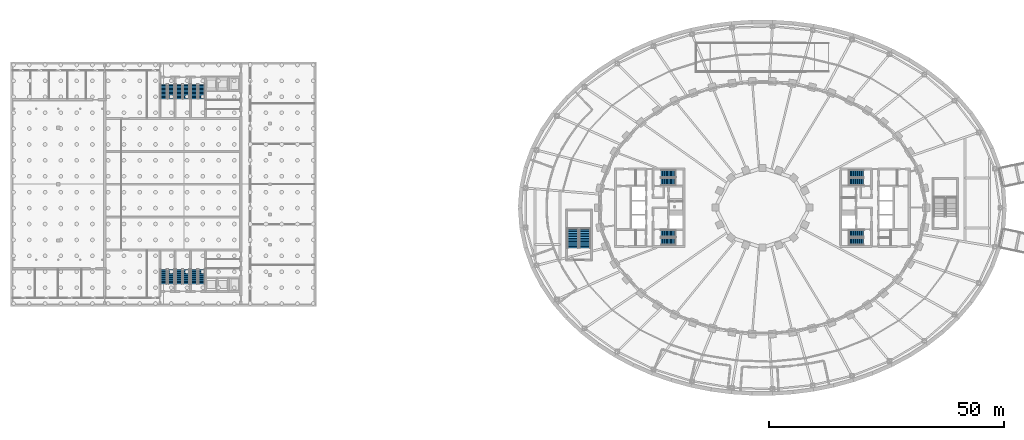
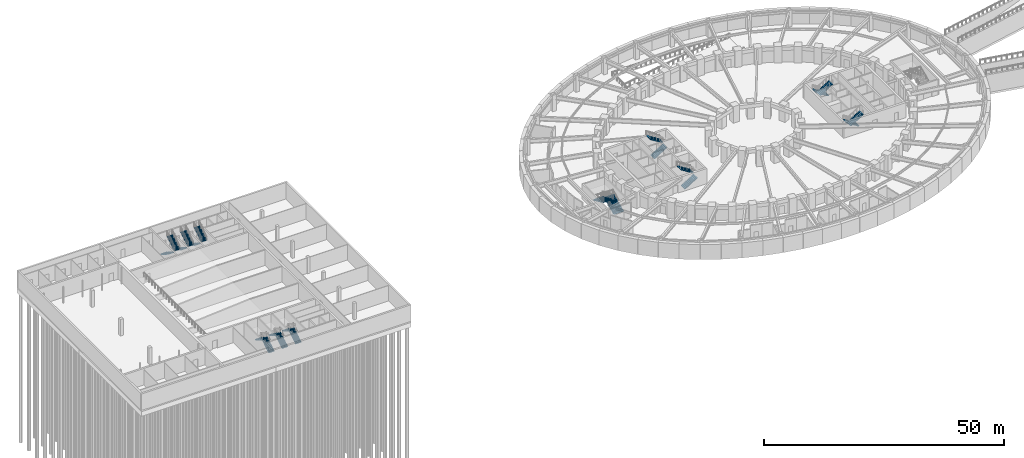
# One storey, part 23 of 32: 22 stair flights, 11 elements without a shape of their own.
"""IFC4 building model written with IfcOpenShell, lengths in metres."""

from ifc_helpers import new_model, si_unit, direction, frame, origin, place, context, subcontext, project, spatial, polyline, outline, extrude, material, type_object, element, aggregate, save


model = new_model("IFC4")

# Units and contexts
model_context = context("Model", 3, precision=1e-05, world=origin(), true_north=direction((0.0, 1.0)))
body_context = subcontext(model_context, "Body", "Model", "MODEL_VIEW")
ifc_project = project(units=[si_unit("LENGTHUNIT", "METRE"), si_unit("AREAUNIT", "SQUARE_METRE"), si_unit("VOLUMEUNIT", "CUBIC_METRE"), si_unit("PLANEANGLEUNIT", "RADIAN"), si_unit("MASSUNIT", "GRAM", prefix="KILO")], contexts=[model_context])

# Site, building, storey
site_placement = place(None, origin())
site = spatial("IfcSite", under=ifc_project, at=site_placement, CompositionType="ELEMENT")
building_placement = place(site_placement, origin())
building = spatial("IfcBuilding", under=site, at=building_placement, Name="Noorbagh Ring Tower", CompositionType="ELEMENT")
storey_placement = place(building_placement, frame((0.0, 0.0, -4.199951171875)))
storey = spatial("IfcBuildingStorey", under=building, at=storey_placement, Name="B1", CompositionType="ELEMENT", Elevation=-4.199951171875)

# Stair, stair flights
ifc_material_1 = material(Name="Concrete C40/50", Category="concrete")
stair_type_1 = type_object("IfcStairType", Name="CORE-STAIR", PredefinedType="HALF_TURN_STAIR", material=ifc_material_1)
stair_1_placement = place(storey_placement, origin())
stair_1 = element("IfcStair", 1, at=stair_1_placement, inside=storey, type_object=stair_type_1, Name="B1 Exit stair ST1", PredefinedType="HALF_TURN_STAIR")
ifc_material_2 = material(Name="Concrete C40/50", Category="concrete")
stair_flight_type_1 = type_object("IfcStairFlightType", Name="CORE-STAIR-FLIGHT", PredefinedType="STRAIGHT", material=ifc_material_2)
stair_flight_1_placement = place(storey_placement, frame((-21.530029296875, 5.52490234375, 0.0), z_axis=(0.0, 0.0, 1.0), x_axis=(1.0, 0.0, 0.0)))
stair_flight_1 = element("IfcStairFlight", 2, at=stair_flight_1_placement, type_object=stair_flight_type_1, Name="ST1 flight 1", NumberOfRisers=12, NumberOfTreads=11, PredefinedType="STRAIGHT", RiserHeight=0.175, TreadLength=0.28, context=body_context, shape_type="SweptSolid", body=[
    extrude(outline(polyline([(0.0, 0.0), (0.0, 0.175048828125), (0.280029296875, 0.175048828125), (0.280029296875, 0.35009765625), (0.56005859375, 0.35009765625), (0.56005859375, 0.52490234375), (0.840087890625, 0.52490234375), (0.840087890625, 0.699951171875), (1.1201171875, 0.699951171875), (1.1201171875, 0.875), (1.39990234375, 0.875), (1.39990234375, 1.050048828125), (1.679931640625, 1.050048828125), (1.679931640625, 1.22509765625), (1.9599609375, 1.22509765625), (1.9599609375, 1.39990234375), (2.239990234375, 1.39990234375), (2.239990234375, 1.574951171875), (2.52001953125, 1.574951171875), (2.52001953125, 1.75), (2.800048828125, 1.75), (2.800048828125, 1.925048828125), (3.080078125, 1.925048828125), (3.080078125, 2.10009765625), (3.080078125, 1.748291015625), (0.28271484375, 0.0), (0.0, 0.0)])), frame((0.0, 0.77490234375, 0.0), z_axis=(0.0, -1.0, 0.0), x_axis=(1.0, 0.0, 0.0)), (0.0, 0.0, 1.0), 1.550048828125),
])
stair_flight_2_placement = place(storey_placement, frame((-18.449951171875, 7.22509765625, 2.099853515625), z_axis=(0.0, 0.0, 1.0), x_axis=(-1.0, 0.0, 0.0)))
stair_flight_2 = element("IfcStairFlight", 3, at=stair_flight_2_placement, type_object=stair_flight_type_1, Name="ST1 flight 2", NumberOfRisers=12, NumberOfTreads=11, PredefinedType="STRAIGHT", RiserHeight=0.175, TreadLength=0.28, context=body_context, shape_type="SweptSolid", body=[
    extrude(outline(polyline([(0.0, 0.0), (0.0, 0.175048828125), (0.280029296875, 0.175048828125), (0.280029296875, 0.35009765625), (0.56005859375, 0.35009765625), (0.56005859375, 0.52490234375), (0.840087890625, 0.52490234375), (0.840087890625, 0.699951171875), (1.1201171875, 0.699951171875), (1.1201171875, 0.875), (1.39990234375, 0.875), (1.39990234375, 1.050048828125), (1.679931640625, 1.050048828125), (1.679931640625, 1.22509765625), (1.9599609375, 1.22509765625), (1.9599609375, 1.39990234375), (2.239990234375, 1.39990234375), (2.239990234375, 1.574951171875), (2.52001953125, 1.574951171875), (2.52001953125, 1.75), (2.800048828125, 1.75), (2.800048828125, 1.925048828125), (3.080078125, 1.925048828125), (3.080078125, 2.10009765625), (3.080078125, 1.748291015625), (0.28271484375, 0.0), (0.0, 0.0)])), frame((0.0, 0.77490234375, 0.0), z_axis=(0.0, -1.0, 0.0), x_axis=(1.0, 0.0, 0.0)), (0.0, 0.0, 1.0), 1.550048828125),
])
aggregate(stair_1, [stair_flight_1, stair_flight_2])

stair_2_placement = place(storey_placement, origin())
stair_2 = element("IfcStair", 4, at=stair_2_placement, inside=storey, type_object=stair_type_1, Name="B1 Exit stair ST2", PredefinedType="HALF_TURN_STAIR")
stair_flight_3_placement = place(storey_placement, frame((-21.530029296875, -7.22509765625, 0.0), z_axis=(0.0, 0.0, 1.0), x_axis=(1.0, 0.0, 0.0)))
stair_flight_3 = element("IfcStairFlight", 5, at=stair_flight_3_placement, type_object=stair_flight_type_1, Name="ST2 flight 1", NumberOfRisers=12, NumberOfTreads=11, PredefinedType="STRAIGHT", RiserHeight=0.175, TreadLength=0.28, context=body_context, shape_type="SweptSolid", body=[
    extrude(outline(polyline([(0.0, 0.0), (0.0, 0.175048828125), (0.280029296875, 0.175048828125), (0.280029296875, 0.35009765625), (0.56005859375, 0.35009765625), (0.56005859375, 0.52490234375), (0.840087890625, 0.52490234375), (0.840087890625, 0.699951171875), (1.1201171875, 0.699951171875), (1.1201171875, 0.875), (1.39990234375, 0.875), (1.39990234375, 1.050048828125), (1.679931640625, 1.050048828125), (1.679931640625, 1.22509765625), (1.9599609375, 1.22509765625), (1.9599609375, 1.39990234375), (2.239990234375, 1.39990234375), (2.239990234375, 1.574951171875), (2.52001953125, 1.574951171875), (2.52001953125, 1.75), (2.800048828125, 1.75), (2.800048828125, 1.925048828125), (3.080078125, 1.925048828125), (3.080078125, 2.10009765625), (3.080078125, 1.748291015625), (0.28271484375, 0.0), (0.0, 0.0)])), frame((0.0, 0.77490234375, 0.0), z_axis=(0.0, -1.0, 0.0), x_axis=(1.0, 0.0, 0.0)), (0.0, 0.0, 1.0), 1.550048828125),
])
stair_flight_4_placement = place(storey_placement, frame((-18.449951171875, -5.52490234375, 2.099853515625), z_axis=(0.0, 0.0, 1.0), x_axis=(-1.0, 0.0, 0.0)))
stair_flight_4 = element("IfcStairFlight", 6, at=stair_flight_4_placement, type_object=stair_flight_type_1, Name="ST2 flight 2", NumberOfRisers=12, NumberOfTreads=11, PredefinedType="STRAIGHT", RiserHeight=0.175, TreadLength=0.28, context=body_context, shape_type="SweptSolid", body=[
    extrude(outline(polyline([(0.0, 0.0), (0.0, 0.175048828125), (0.280029296875, 0.175048828125), (0.280029296875, 0.35009765625), (0.56005859375, 0.35009765625), (0.56005859375, 0.52490234375), (0.840087890625, 0.52490234375), (0.840087890625, 0.699951171875), (1.1201171875, 0.699951171875), (1.1201171875, 0.875), (1.39990234375, 0.875), (1.39990234375, 1.050048828125), (1.679931640625, 1.050048828125), (1.679931640625, 1.22509765625), (1.9599609375, 1.22509765625), (1.9599609375, 1.39990234375), (2.239990234375, 1.39990234375), (2.239990234375, 1.574951171875), (2.52001953125, 1.574951171875), (2.52001953125, 1.75), (2.800048828125, 1.75), (2.800048828125, 1.925048828125), (3.080078125, 1.925048828125), (3.080078125, 2.10009765625), (3.080078125, 1.748291015625), (0.28271484375, 0.0), (0.0, 0.0)])), frame((0.0, 0.77490234375, 0.0), z_axis=(0.0, -1.0, 0.0), x_axis=(1.0, 0.0, 0.0)), (0.0, 0.0, 1.0), 1.550048828125),
])
aggregate(stair_2, [stair_flight_3, stair_flight_4])

stair_3_placement = place(storey_placement, origin())
stair_3 = element("IfcStair", 7, at=stair_3_placement, inside=storey, type_object=stair_type_1, Name="B1 Exit stair ST3", PredefinedType="HALF_TURN_STAIR")
stair_flight_5_placement = place(storey_placement, frame((21.530029296875, 7.22509765625, 0.0), z_axis=(0.0, 0.0, 1.0), x_axis=(-1.0, 0.0, 0.0)))
stair_flight_5 = element("IfcStairFlight", 8, at=stair_flight_5_placement, type_object=stair_flight_type_1, Name="ST3 flight 1", NumberOfRisers=12, NumberOfTreads=11, PredefinedType="STRAIGHT", RiserHeight=0.175, TreadLength=0.28, context=body_context, shape_type="SweptSolid", body=[
    extrude(outline(polyline([(0.0, 0.0), (0.0, 0.175048828125), (0.280029296875, 0.175048828125), (0.280029296875, 0.35009765625), (0.56005859375, 0.35009765625), (0.56005859375, 0.52490234375), (0.840087890625, 0.52490234375), (0.840087890625, 0.699951171875), (1.1201171875, 0.699951171875), (1.1201171875, 0.875), (1.39990234375, 0.875), (1.39990234375, 1.050048828125), (1.679931640625, 1.050048828125), (1.679931640625, 1.22509765625), (1.9599609375, 1.22509765625), (1.9599609375, 1.39990234375), (2.239990234375, 1.39990234375), (2.239990234375, 1.574951171875), (2.52001953125, 1.574951171875), (2.52001953125, 1.75), (2.800048828125, 1.75), (2.800048828125, 1.925048828125), (3.080078125, 1.925048828125), (3.080078125, 2.10009765625), (3.080078125, 1.748291015625), (0.28271484375, 0.0), (0.0, 0.0)])), frame((0.0, 0.77490234375, 0.0), z_axis=(0.0, -1.0, 0.0), x_axis=(1.0, 0.0, 0.0)), (0.0, 0.0, 1.0), 1.550048828125),
])
stair_flight_6_placement = place(storey_placement, frame((18.449951171875, 5.52490234375, 2.099853515625), z_axis=(0.0, 0.0, 1.0), x_axis=(1.0, 0.0, 0.0)))
stair_flight_6 = element("IfcStairFlight", 9, at=stair_flight_6_placement, type_object=stair_flight_type_1, Name="ST3 flight 2", NumberOfRisers=12, NumberOfTreads=11, PredefinedType="STRAIGHT", RiserHeight=0.175, TreadLength=0.28, context=body_context, shape_type="SweptSolid", body=[
    extrude(outline(polyline([(0.0, 0.0), (0.0, 0.175048828125), (0.280029296875, 0.175048828125), (0.280029296875, 0.35009765625), (0.56005859375, 0.35009765625), (0.56005859375, 0.52490234375), (0.840087890625, 0.52490234375), (0.840087890625, 0.699951171875), (1.1201171875, 0.699951171875), (1.1201171875, 0.875), (1.39990234375, 0.875), (1.39990234375, 1.050048828125), (1.679931640625, 1.050048828125), (1.679931640625, 1.22509765625), (1.9599609375, 1.22509765625), (1.9599609375, 1.39990234375), (2.239990234375, 1.39990234375), (2.239990234375, 1.574951171875), (2.52001953125, 1.574951171875), (2.52001953125, 1.75), (2.800048828125, 1.75), (2.800048828125, 1.925048828125), (3.080078125, 1.925048828125), (3.080078125, 2.10009765625), (3.080078125, 1.748291015625), (0.28271484375, 0.0), (0.0, 0.0)])), frame((0.0, 0.77490234375, 0.0), z_axis=(0.0, -1.0, 0.0), x_axis=(1.0, 0.0, 0.0)), (0.0, 0.0, 1.0), 1.550048828125),
])
aggregate(stair_3, [stair_flight_5, stair_flight_6])

stair_4_placement = place(storey_placement, origin())
stair_4 = element("IfcStair", 10, at=stair_4_placement, inside=storey, type_object=stair_type_1, Name="B1 Exit stair ST4", PredefinedType="HALF_TURN_STAIR")
stair_flight_7_placement = place(storey_placement, frame((21.530029296875, -5.52490234375, 0.0), z_axis=(0.0, 0.0, 1.0), x_axis=(-1.0, 0.0, 0.0)))
stair_flight_7 = element("IfcStairFlight", 11, at=stair_flight_7_placement, type_object=stair_flight_type_1, Name="ST4 flight 1", NumberOfRisers=12, NumberOfTreads=11, PredefinedType="STRAIGHT", RiserHeight=0.175, TreadLength=0.28, context=body_context, shape_type="SweptSolid", body=[
    extrude(outline(polyline([(0.0, 0.0), (0.0, 0.175048828125), (0.280029296875, 0.175048828125), (0.280029296875, 0.35009765625), (0.56005859375, 0.35009765625), (0.56005859375, 0.52490234375), (0.840087890625, 0.52490234375), (0.840087890625, 0.699951171875), (1.1201171875, 0.699951171875), (1.1201171875, 0.875), (1.39990234375, 0.875), (1.39990234375, 1.050048828125), (1.679931640625, 1.050048828125), (1.679931640625, 1.22509765625), (1.9599609375, 1.22509765625), (1.9599609375, 1.39990234375), (2.239990234375, 1.39990234375), (2.239990234375, 1.574951171875), (2.52001953125, 1.574951171875), (2.52001953125, 1.75), (2.800048828125, 1.75), (2.800048828125, 1.925048828125), (3.080078125, 1.925048828125), (3.080078125, 2.10009765625), (3.080078125, 1.748291015625), (0.28271484375, 0.0), (0.0, 0.0)])), frame((0.0, 0.77490234375, 0.0), z_axis=(0.0, -1.0, 0.0), x_axis=(1.0, 0.0, 0.0)), (0.0, 0.0, 1.0), 1.550048828125),
])
stair_flight_8_placement = place(storey_placement, frame((18.449951171875, -7.22509765625, 2.099853515625), z_axis=(0.0, 0.0, 1.0), x_axis=(1.0, 0.0, 0.0)))
stair_flight_8 = element("IfcStairFlight", 12, at=stair_flight_8_placement, type_object=stair_flight_type_1, Name="ST4 flight 2", NumberOfRisers=12, NumberOfTreads=11, PredefinedType="STRAIGHT", RiserHeight=0.175, TreadLength=0.28, context=body_context, shape_type="SweptSolid", body=[
    extrude(outline(polyline([(0.0, 0.0), (0.0, 0.175048828125), (0.280029296875, 0.175048828125), (0.280029296875, 0.35009765625), (0.56005859375, 0.35009765625), (0.56005859375, 0.52490234375), (0.840087890625, 0.52490234375), (0.840087890625, 0.699951171875), (1.1201171875, 0.699951171875), (1.1201171875, 0.875), (1.39990234375, 0.875), (1.39990234375, 1.050048828125), (1.679931640625, 1.050048828125), (1.679931640625, 1.22509765625), (1.9599609375, 1.22509765625), (1.9599609375, 1.39990234375), (2.239990234375, 1.39990234375), (2.239990234375, 1.574951171875), (2.52001953125, 1.574951171875), (2.52001953125, 1.75), (2.800048828125, 1.75), (2.800048828125, 1.925048828125), (3.080078125, 1.925048828125), (3.080078125, 2.10009765625), (3.080078125, 1.748291015625), (0.28271484375, 0.0), (0.0, 0.0)])), frame((0.0, 0.77490234375, 0.0), z_axis=(0.0, -1.0, 0.0), x_axis=(1.0, 0.0, 0.0)), (0.0, 0.0, 1.0), 1.550048828125),
])
aggregate(stair_4, [stair_flight_7, stair_flight_8])

ifc_material_3 = material(Name="Concrete C40/50", Category="concrete")
stair_type_2 = type_object("IfcStairType", Name="GND-STAIR", PredefinedType="HALF_TURN_STAIR", material=ifc_material_3)
stair_5_placement = place(storey_placement, origin())
stair_5 = element("IfcStair", 13, at=stair_5_placement, inside=storey, type_object=stair_type_2, Name="B1 exit stair ST-P1", PredefinedType="HALF_TURN_STAIR")
ifc_material_4 = material(Name="Concrete C40/50", Category="concrete")
stair_flight_type_2 = type_object("IfcStairFlightType", Name="GND-STAIR-FLIGHT", PredefinedType="STRAIGHT", material=ifc_material_4)
stair_flight_9_placement = place(storey_placement, frame((-37.75, -8.60009765625, 0.0), z_axis=(0.0, 0.0, 1.0), x_axis=(0.0, 1.0, 0.0)))
stair_flight_9 = element("IfcStairFlight", 14, at=stair_flight_9_placement, type_object=stair_flight_type_2, Name="ST-P1 flight 1", NumberOfRisers=13, NumberOfTreads=12, PredefinedType="STRAIGHT", RiserHeight=0.161538462, TreadLength=0.35, context=body_context, shape_type="SweptSolid", body=[
    extrude(outline(polyline([(0.0, 0.0), (0.0, 0.16162109375), (0.35009765625, 0.16162109375), (0.35009765625, 0.322998046875), (0.699951171875, 0.322998046875), (0.699951171875, 0.484619140625), (1.050048828125, 0.484619140625), (1.050048828125, 0.646240234375), (1.39990234375, 0.646240234375), (1.39990234375, 0.8076171875), (1.75, 0.8076171875), (1.75, 0.96923828125), (2.10009765625, 0.96923828125), (2.10009765625, 1.130859375), (2.449951171875, 1.130859375), (2.449951171875, 1.292236328125), (2.800048828125, 1.292236328125), (2.800048828125, 1.453857421875), (3.14990234375, 1.453857421875), (3.14990234375, 1.615478515625), (3.5, 1.615478515625), (3.5, 1.77685546875), (3.85009765625, 1.77685546875), (3.85009765625, 1.9384765625), (4.199951171875, 1.9384765625), (4.199951171875, 2.10009765625), (4.199951171875, 1.7734375), (0.357666015625, 0.0), (0.0, 0.0)])), frame((0.0, 1.199951171875, 0.0), z_axis=(0.0, -1.0, 0.0), x_axis=(1.0, 0.0, 0.0)), (0.0, 0.0, 1.0), 2.39990234375),
])
stair_flight_10_placement = place(storey_placement, frame((-40.300048828125, -4.39990234375, 2.099853515625), z_axis=(0.0, 0.0, 1.0), x_axis=(0.0, -1.0, 0.0)))
stair_flight_10 = element("IfcStairFlight", 15, at=stair_flight_10_placement, type_object=stair_flight_type_2, Name="ST-P1 flight 2", NumberOfRisers=13, NumberOfTreads=12, PredefinedType="STRAIGHT", RiserHeight=0.161538462, TreadLength=0.35, context=body_context, shape_type="SweptSolid", body=[
    extrude(outline(polyline([(0.0, 0.0), (0.0, 0.16162109375), (0.35009765625, 0.16162109375), (0.35009765625, 0.322998046875), (0.699951171875, 0.322998046875), (0.699951171875, 0.484619140625), (1.050048828125, 0.484619140625), (1.050048828125, 0.646240234375), (1.39990234375, 0.646240234375), (1.39990234375, 0.8076171875), (1.75, 0.8076171875), (1.75, 0.96923828125), (2.10009765625, 0.96923828125), (2.10009765625, 1.130859375), (2.449951171875, 1.130859375), (2.449951171875, 1.292236328125), (2.800048828125, 1.292236328125), (2.800048828125, 1.453857421875), (3.14990234375, 1.453857421875), (3.14990234375, 1.615478515625), (3.5, 1.615478515625), (3.5, 1.77685546875), (3.85009765625, 1.77685546875), (3.85009765625, 1.9384765625), (4.199951171875, 1.9384765625), (4.199951171875, 2.10009765625), (4.199951171875, 1.7734375), (0.357666015625, 0.0), (0.0, 0.0)])), frame((0.0, 1.199951171875, 0.0), z_axis=(0.0, -1.0, 0.0), x_axis=(1.0, 0.0, 0.0)), (0.0, 0.0, 1.0), 2.39990234375),
])
aggregate(stair_5, [stair_flight_9, stair_flight_10])

ifc_material_5 = material(Name="Concrete C40/50", Category="concrete")
stair_type_3 = type_object("IfcStairType", Name="TH-STAIR", PredefinedType="HALF_TURN_STAIR", material=ifc_material_5)
stair_6_placement = place(storey_placement, origin())
stair_6 = element("IfcStair", 16, at=stair_6_placement, inside=storey, type_object=stair_type_3, Name="B1 Exit stair S1", PredefinedType="HALF_TURN_STAIR")
ifc_material_6 = material(Name="Concrete C40/50", Category="concrete")
stair_flight_type_3 = type_object("IfcStairFlightType", Name="TH-STAIR-FLIGHT", PredefinedType="STRAIGHT", material=ifc_material_6)
stair_flight_11_placement = place(storey_placement, frame((-122.60009765625, -16.25, 0.0), z_axis=(0.0, 0.0, 1.0), x_axis=(0.0, 1.0, 0.0)))
stair_flight_11 = element("IfcStairFlight", 17, at=stair_flight_11_placement, type_object=stair_flight_type_3, Name="TSS1 flight 1", NumberOfRisers=12, NumberOfTreads=11, PredefinedType="STRAIGHT", RiserHeight=0.175, TreadLength=0.28, context=body_context, shape_type="SweptSolid", body=[
    extrude(outline(polyline([(0.0, 0.0), (0.0, 0.175048828125), (0.280029296875, 0.175048828125), (0.280029296875, 0.35009765625), (0.56005859375, 0.35009765625), (0.56005859375, 0.52490234375), (0.840087890625, 0.52490234375), (0.840087890625, 0.699951171875), (1.1201171875, 0.699951171875), (1.1201171875, 0.875), (1.39990234375, 0.875), (1.39990234375, 1.050048828125), (1.679931640625, 1.050048828125), (1.679931640625, 1.22509765625), (1.9599609375, 1.22509765625), (1.9599609375, 1.39990234375), (2.239990234375, 1.39990234375), (2.239990234375, 1.574951171875), (2.52001953125, 1.574951171875), (2.52001953125, 1.75), (2.800048828125, 1.75), (2.800048828125, 1.925048828125), (3.080078125, 1.925048828125), (3.080078125, 2.10009765625), (3.080078125, 1.748291015625), (0.28271484375, 0.0), (0.0, 0.0)])), frame((0.0, 0.699951171875, 0.0), z_axis=(0.0, -1.0, 0.0), x_axis=(1.0, 0.0, 0.0)), (0.0, 0.0, 1.0), 1.39990234375),
])
stair_flight_12_placement = place(storey_placement, frame((-124.14990234375, -13.169921875, 2.099853515625), z_axis=(0.0, 0.0, 1.0), x_axis=(0.0, -1.0, 0.0)))
stair_flight_12 = element("IfcStairFlight", 18, at=stair_flight_12_placement, type_object=stair_flight_type_3, Name="TSS1 flight 2", NumberOfRisers=12, NumberOfTreads=11, PredefinedType="STRAIGHT", RiserHeight=0.175, TreadLength=0.28, context=body_context, shape_type="SweptSolid", body=[
    extrude(outline(polyline([(0.0, 0.0), (0.0, 0.175048828125), (0.280029296875, 0.175048828125), (0.280029296875, 0.35009765625), (0.56005859375, 0.35009765625), (0.56005859375, 0.52490234375), (0.840087890625, 0.52490234375), (0.840087890625, 0.699951171875), (1.1201171875, 0.699951171875), (1.1201171875, 0.875), (1.39990234375, 0.875), (1.39990234375, 1.050048828125), (1.679931640625, 1.050048828125), (1.679931640625, 1.22509765625), (1.9599609375, 1.22509765625), (1.9599609375, 1.39990234375), (2.239990234375, 1.39990234375), (2.239990234375, 1.574951171875), (2.52001953125, 1.574951171875), (2.52001953125, 1.75), (2.800048828125, 1.75), (2.800048828125, 1.925048828125), (3.080078125, 1.925048828125), (3.080078125, 2.10009765625), (3.080078125, 1.748291015625), (0.28271484375, 0.0), (0.0, 0.0)])), frame((0.0, 0.699951171875, 0.0), z_axis=(0.0, -1.0, 0.0), x_axis=(1.0, 0.0, 0.0)), (0.0, 0.0, 1.0), 1.39990234375),
])
aggregate(stair_6, [stair_flight_11, stair_flight_12])

stair_7_placement = place(storey_placement, origin())
stair_7 = element("IfcStair", 19, at=stair_7_placement, inside=storey, type_object=stair_type_3, Name="B1 Exit stair S2", PredefinedType="HALF_TURN_STAIR")
stair_flight_13_placement = place(storey_placement, frame((-119.35009765625, -16.25, 0.0), z_axis=(0.0, 0.0, 1.0), x_axis=(0.0, 1.0, 0.0)))
stair_flight_13 = element("IfcStairFlight", 20, at=stair_flight_13_placement, type_object=stair_flight_type_3, Name="TSS2 flight 1", NumberOfRisers=12, NumberOfTreads=11, PredefinedType="STRAIGHT", RiserHeight=0.175, TreadLength=0.28, context=body_context, shape_type="SweptSolid", body=[
    extrude(outline(polyline([(0.0, 0.0), (0.0, 0.175048828125), (0.280029296875, 0.175048828125), (0.280029296875, 0.35009765625), (0.56005859375, 0.35009765625), (0.56005859375, 0.52490234375), (0.840087890625, 0.52490234375), (0.840087890625, 0.699951171875), (1.1201171875, 0.699951171875), (1.1201171875, 0.875), (1.39990234375, 0.875), (1.39990234375, 1.050048828125), (1.679931640625, 1.050048828125), (1.679931640625, 1.22509765625), (1.9599609375, 1.22509765625), (1.9599609375, 1.39990234375), (2.239990234375, 1.39990234375), (2.239990234375, 1.574951171875), (2.52001953125, 1.574951171875), (2.52001953125, 1.75), (2.800048828125, 1.75), (2.800048828125, 1.925048828125), (3.080078125, 1.925048828125), (3.080078125, 2.10009765625), (3.080078125, 1.748291015625), (0.28271484375, 0.0), (0.0, 0.0)])), frame((0.0, 0.699951171875, 0.0), z_axis=(0.0, -1.0, 0.0), x_axis=(1.0, 0.0, 0.0)), (0.0, 0.0, 1.0), 1.39990234375),
])
stair_flight_14_placement = place(storey_placement, frame((-120.89990234375, -13.169921875, 2.099853515625), z_axis=(0.0, 0.0, 1.0), x_axis=(0.0, -1.0, 0.0)))
stair_flight_14 = element("IfcStairFlight", 21, at=stair_flight_14_placement, type_object=stair_flight_type_3, Name="TSS2 flight 2", NumberOfRisers=12, NumberOfTreads=11, PredefinedType="STRAIGHT", RiserHeight=0.175, TreadLength=0.28, context=body_context, shape_type="SweptSolid", body=[
    extrude(outline(polyline([(0.0, 0.0), (0.0, 0.175048828125), (0.280029296875, 0.175048828125), (0.280029296875, 0.35009765625), (0.56005859375, 0.35009765625), (0.56005859375, 0.52490234375), (0.840087890625, 0.52490234375), (0.840087890625, 0.699951171875), (1.1201171875, 0.699951171875), (1.1201171875, 0.875), (1.39990234375, 0.875), (1.39990234375, 1.050048828125), (1.679931640625, 1.050048828125), (1.679931640625, 1.22509765625), (1.9599609375, 1.22509765625), (1.9599609375, 1.39990234375), (2.239990234375, 1.39990234375), (2.239990234375, 1.574951171875), (2.52001953125, 1.574951171875), (2.52001953125, 1.75), (2.800048828125, 1.75), (2.800048828125, 1.925048828125), (3.080078125, 1.925048828125), (3.080078125, 2.10009765625), (3.080078125, 1.748291015625), (0.28271484375, 0.0), (0.0, 0.0)])), frame((0.0, 0.699951171875, 0.0), z_axis=(0.0, -1.0, 0.0), x_axis=(1.0, 0.0, 0.0)), (0.0, 0.0, 1.0), 1.39990234375),
])
aggregate(stair_7, [stair_flight_13, stair_flight_14])

stair_8_placement = place(storey_placement, origin())
stair_8 = element("IfcStair", 22, at=stair_8_placement, inside=storey, type_object=stair_type_3, Name="B1 Exit stair S3", PredefinedType="HALF_TURN_STAIR")
stair_flight_15_placement = place(storey_placement, frame((-125.85009765625, -16.25, 0.0), z_axis=(0.0, 0.0, 1.0), x_axis=(0.0, 1.0, 0.0)))
stair_flight_15 = element("IfcStairFlight", 23, at=stair_flight_15_placement, type_object=stair_flight_type_3, Name="TSS3 flight 1", NumberOfRisers=12, NumberOfTreads=11, PredefinedType="STRAIGHT", RiserHeight=0.175, TreadLength=0.28, context=body_context, shape_type="SweptSolid", body=[
    extrude(outline(polyline([(0.0, 0.0), (0.0, 0.175048828125), (0.280029296875, 0.175048828125), (0.280029296875, 0.35009765625), (0.56005859375, 0.35009765625), (0.56005859375, 0.52490234375), (0.840087890625, 0.52490234375), (0.840087890625, 0.699951171875), (1.1201171875, 0.699951171875), (1.1201171875, 0.875), (1.39990234375, 0.875), (1.39990234375, 1.050048828125), (1.679931640625, 1.050048828125), (1.679931640625, 1.22509765625), (1.9599609375, 1.22509765625), (1.9599609375, 1.39990234375), (2.239990234375, 1.39990234375), (2.239990234375, 1.574951171875), (2.52001953125, 1.574951171875), (2.52001953125, 1.75), (2.800048828125, 1.75), (2.800048828125, 1.925048828125), (3.080078125, 1.925048828125), (3.080078125, 2.10009765625), (3.080078125, 1.748291015625), (0.28271484375, 0.0), (0.0, 0.0)])), frame((0.0, 0.699951171875, 0.0), z_axis=(0.0, -1.0, 0.0), x_axis=(1.0, 0.0, 0.0)), (0.0, 0.0, 1.0), 1.39990234375),
])
stair_flight_16_placement = place(storey_placement, frame((-127.39990234375, -13.169921875, 2.099853515625), z_axis=(0.0, 0.0, 1.0), x_axis=(0.0, -1.0, 0.0)))
stair_flight_16 = element("IfcStairFlight", 24, at=stair_flight_16_placement, type_object=stair_flight_type_3, Name="TSS3 flight 2", NumberOfRisers=12, NumberOfTreads=11, PredefinedType="STRAIGHT", RiserHeight=0.175, TreadLength=0.28, context=body_context, shape_type="SweptSolid", body=[
    extrude(outline(polyline([(0.0, 0.0), (0.0, 0.175048828125), (0.280029296875, 0.175048828125), (0.280029296875, 0.35009765625), (0.56005859375, 0.35009765625), (0.56005859375, 0.52490234375), (0.840087890625, 0.52490234375), (0.840087890625, 0.699951171875), (1.1201171875, 0.699951171875), (1.1201171875, 0.875), (1.39990234375, 0.875), (1.39990234375, 1.050048828125), (1.679931640625, 1.050048828125), (1.679931640625, 1.22509765625), (1.9599609375, 1.22509765625), (1.9599609375, 1.39990234375), (2.239990234375, 1.39990234375), (2.239990234375, 1.574951171875), (2.52001953125, 1.574951171875), (2.52001953125, 1.75), (2.800048828125, 1.75), (2.800048828125, 1.925048828125), (3.080078125, 1.925048828125), (3.080078125, 2.10009765625), (3.080078125, 1.748291015625), (0.28271484375, 0.0), (0.0, 0.0)])), frame((0.0, 0.699951171875, 0.0), z_axis=(0.0, -1.0, 0.0), x_axis=(1.0, 0.0, 0.0)), (0.0, 0.0, 1.0), 1.39990234375),
])
aggregate(stair_8, [stair_flight_15, stair_flight_16])

stair_9_placement = place(storey_placement, origin())
stair_9 = element("IfcStair", 25, at=stair_9_placement, inside=storey, type_object=stair_type_3, Name="B1 Exit stair N1", PredefinedType="HALF_TURN_STAIR")
stair_flight_17_placement = place(storey_placement, frame((-124.14990234375, 26.25, 0.0), z_axis=(0.0, 0.0, 1.0), x_axis=(0.0, -1.0, 0.0)))
stair_flight_17 = element("IfcStairFlight", 26, at=stair_flight_17_placement, type_object=stair_flight_type_3, Name="TSN1 flight 1", NumberOfRisers=12, NumberOfTreads=11, PredefinedType="STRAIGHT", RiserHeight=0.175, TreadLength=0.28, context=body_context, shape_type="SweptSolid", body=[
    extrude(outline(polyline([(0.0, 0.0), (0.0, 0.175048828125), (0.280029296875, 0.175048828125), (0.280029296875, 0.35009765625), (0.56005859375, 0.35009765625), (0.56005859375, 0.52490234375), (0.840087890625, 0.52490234375), (0.840087890625, 0.699951171875), (1.1201171875, 0.699951171875), (1.1201171875, 0.875), (1.39990234375, 0.875), (1.39990234375, 1.050048828125), (1.679931640625, 1.050048828125), (1.679931640625, 1.22509765625), (1.9599609375, 1.22509765625), (1.9599609375, 1.39990234375), (2.239990234375, 1.39990234375), (2.239990234375, 1.574951171875), (2.52001953125, 1.574951171875), (2.52001953125, 1.75), (2.800048828125, 1.75), (2.800048828125, 1.925048828125), (3.080078125, 1.925048828125), (3.080078125, 2.10009765625), (3.080078125, 1.748291015625), (0.28271484375, 0.0), (0.0, 0.0)])), frame((0.0, 0.699951171875, 0.0), z_axis=(0.0, -1.0, 0.0), x_axis=(1.0, 0.0, 0.0)), (0.0, 0.0, 1.0), 1.39990234375),
])
stair_flight_18_placement = place(storey_placement, frame((-122.60009765625, 23.169921875, 2.099853515625), z_axis=(0.0, 0.0, 1.0), x_axis=(0.0, 1.0, 0.0)))
stair_flight_18 = element("IfcStairFlight", 27, at=stair_flight_18_placement, type_object=stair_flight_type_3, Name="TSN1 flight 2", NumberOfRisers=12, NumberOfTreads=11, PredefinedType="STRAIGHT", RiserHeight=0.175, TreadLength=0.28, context=body_context, shape_type="SweptSolid", body=[
    extrude(outline(polyline([(0.0, 0.0), (0.0, 0.175048828125), (0.280029296875, 0.175048828125), (0.280029296875, 0.35009765625), (0.56005859375, 0.35009765625), (0.56005859375, 0.52490234375), (0.840087890625, 0.52490234375), (0.840087890625, 0.699951171875), (1.1201171875, 0.699951171875), (1.1201171875, 0.875), (1.39990234375, 0.875), (1.39990234375, 1.050048828125), (1.679931640625, 1.050048828125), (1.679931640625, 1.22509765625), (1.9599609375, 1.22509765625), (1.9599609375, 1.39990234375), (2.239990234375, 1.39990234375), (2.239990234375, 1.574951171875), (2.52001953125, 1.574951171875), (2.52001953125, 1.75), (2.800048828125, 1.75), (2.800048828125, 1.925048828125), (3.080078125, 1.925048828125), (3.080078125, 2.10009765625), (3.080078125, 1.748291015625), (0.28271484375, 0.0), (0.0, 0.0)])), frame((0.0, 0.699951171875, 0.0), z_axis=(0.0, -1.0, 0.0), x_axis=(1.0, 0.0, 0.0)), (0.0, 0.0, 1.0), 1.39990234375),
])
aggregate(stair_9, [stair_flight_17, stair_flight_18])

stair_10_placement = place(storey_placement, origin())
stair_10 = element("IfcStair", 28, at=stair_10_placement, inside=storey, type_object=stair_type_3, Name="B1 Exit stair N2", PredefinedType="HALF_TURN_STAIR")
stair_flight_19_placement = place(storey_placement, frame((-120.89990234375, 26.25, 0.0), z_axis=(0.0, 0.0, 1.0), x_axis=(0.0, -1.0, 0.0)))
stair_flight_19 = element("IfcStairFlight", 29, at=stair_flight_19_placement, type_object=stair_flight_type_3, Name="TSN2 flight 1", NumberOfRisers=12, NumberOfTreads=11, PredefinedType="STRAIGHT", RiserHeight=0.175, TreadLength=0.28, context=body_context, shape_type="SweptSolid", body=[
    extrude(outline(polyline([(0.0, 0.0), (0.0, 0.175048828125), (0.280029296875, 0.175048828125), (0.280029296875, 0.35009765625), (0.56005859375, 0.35009765625), (0.56005859375, 0.52490234375), (0.840087890625, 0.52490234375), (0.840087890625, 0.699951171875), (1.1201171875, 0.699951171875), (1.1201171875, 0.875), (1.39990234375, 0.875), (1.39990234375, 1.050048828125), (1.679931640625, 1.050048828125), (1.679931640625, 1.22509765625), (1.9599609375, 1.22509765625), (1.9599609375, 1.39990234375), (2.239990234375, 1.39990234375), (2.239990234375, 1.574951171875), (2.52001953125, 1.574951171875), (2.52001953125, 1.75), (2.800048828125, 1.75), (2.800048828125, 1.925048828125), (3.080078125, 1.925048828125), (3.080078125, 2.10009765625), (3.080078125, 1.748291015625), (0.28271484375, 0.0), (0.0, 0.0)])), frame((0.0, 0.699951171875, 0.0), z_axis=(0.0, -1.0, 0.0), x_axis=(1.0, 0.0, 0.0)), (0.0, 0.0, 1.0), 1.39990234375),
])
stair_flight_20_placement = place(storey_placement, frame((-119.35009765625, 23.169921875, 2.099853515625), z_axis=(0.0, 0.0, 1.0), x_axis=(0.0, 1.0, 0.0)))
stair_flight_20 = element("IfcStairFlight", 30, at=stair_flight_20_placement, type_object=stair_flight_type_3, Name="TSN2 flight 2", NumberOfRisers=12, NumberOfTreads=11, PredefinedType="STRAIGHT", RiserHeight=0.175, TreadLength=0.28, context=body_context, shape_type="SweptSolid", body=[
    extrude(outline(polyline([(0.0, 0.0), (0.0, 0.175048828125), (0.280029296875, 0.175048828125), (0.280029296875, 0.35009765625), (0.56005859375, 0.35009765625), (0.56005859375, 0.52490234375), (0.840087890625, 0.52490234375), (0.840087890625, 0.699951171875), (1.1201171875, 0.699951171875), (1.1201171875, 0.875), (1.39990234375, 0.875), (1.39990234375, 1.050048828125), (1.679931640625, 1.050048828125), (1.679931640625, 1.22509765625), (1.9599609375, 1.22509765625), (1.9599609375, 1.39990234375), (2.239990234375, 1.39990234375), (2.239990234375, 1.574951171875), (2.52001953125, 1.574951171875), (2.52001953125, 1.75), (2.800048828125, 1.75), (2.800048828125, 1.925048828125), (3.080078125, 1.925048828125), (3.080078125, 2.10009765625), (3.080078125, 1.748291015625), (0.28271484375, 0.0), (0.0, 0.0)])), frame((0.0, 0.699951171875, 0.0), z_axis=(0.0, -1.0, 0.0), x_axis=(1.0, 0.0, 0.0)), (0.0, 0.0, 1.0), 1.39990234375),
])
aggregate(stair_10, [stair_flight_19, stair_flight_20])

stair_11_placement = place(storey_placement, origin())
stair_11 = element("IfcStair", 31, at=stair_11_placement, inside=storey, type_object=stair_type_3, Name="B1 Exit stair N3", PredefinedType="HALF_TURN_STAIR")
stair_flight_21_placement = place(storey_placement, frame((-127.39990234375, 26.25, 0.0), z_axis=(0.0, 0.0, 1.0), x_axis=(0.0, -1.0, 0.0)))
stair_flight_21 = element("IfcStairFlight", 32, at=stair_flight_21_placement, type_object=stair_flight_type_3, Name="TSN3 flight 1", NumberOfRisers=12, NumberOfTreads=11, PredefinedType="STRAIGHT", RiserHeight=0.175, TreadLength=0.28, context=body_context, shape_type="SweptSolid", body=[
    extrude(outline(polyline([(0.0, 0.0), (0.0, 0.175048828125), (0.280029296875, 0.175048828125), (0.280029296875, 0.35009765625), (0.56005859375, 0.35009765625), (0.56005859375, 0.52490234375), (0.840087890625, 0.52490234375), (0.840087890625, 0.699951171875), (1.1201171875, 0.699951171875), (1.1201171875, 0.875), (1.39990234375, 0.875), (1.39990234375, 1.050048828125), (1.679931640625, 1.050048828125), (1.679931640625, 1.22509765625), (1.9599609375, 1.22509765625), (1.9599609375, 1.39990234375), (2.239990234375, 1.39990234375), (2.239990234375, 1.574951171875), (2.52001953125, 1.574951171875), (2.52001953125, 1.75), (2.800048828125, 1.75), (2.800048828125, 1.925048828125), (3.080078125, 1.925048828125), (3.080078125, 2.10009765625), (3.080078125, 1.748291015625), (0.28271484375, 0.0), (0.0, 0.0)])), frame((0.0, 0.699951171875, 0.0), z_axis=(0.0, -1.0, 0.0), x_axis=(1.0, 0.0, 0.0)), (0.0, 0.0, 1.0), 1.39990234375),
])
stair_flight_22_placement = place(storey_placement, frame((-125.85009765625, 23.169921875, 2.099853515625), z_axis=(0.0, 0.0, 1.0), x_axis=(0.0, 1.0, 0.0)))
stair_flight_22 = element("IfcStairFlight", 33, at=stair_flight_22_placement, type_object=stair_flight_type_3, Name="TSN3 flight 2", NumberOfRisers=12, NumberOfTreads=11, PredefinedType="STRAIGHT", RiserHeight=0.175, TreadLength=0.28, context=body_context, shape_type="SweptSolid", body=[
    extrude(outline(polyline([(0.0, 0.0), (0.0, 0.175048828125), (0.280029296875, 0.175048828125), (0.280029296875, 0.35009765625), (0.56005859375, 0.35009765625), (0.56005859375, 0.52490234375), (0.840087890625, 0.52490234375), (0.840087890625, 0.699951171875), (1.1201171875, 0.699951171875), (1.1201171875, 0.875), (1.39990234375, 0.875), (1.39990234375, 1.050048828125), (1.679931640625, 1.050048828125), (1.679931640625, 1.22509765625), (1.9599609375, 1.22509765625), (1.9599609375, 1.39990234375), (2.239990234375, 1.39990234375), (2.239990234375, 1.574951171875), (2.52001953125, 1.574951171875), (2.52001953125, 1.75), (2.800048828125, 1.75), (2.800048828125, 1.925048828125), (3.080078125, 1.925048828125), (3.080078125, 2.10009765625), (3.080078125, 1.748291015625), (0.28271484375, 0.0), (0.0, 0.0)])), frame((0.0, 0.699951171875, 0.0), z_axis=(0.0, -1.0, 0.0), x_axis=(1.0, 0.0, 0.0)), (0.0, 0.0, 1.0), 1.39990234375),
])
aggregate(stair_11, [stair_flight_21, stair_flight_22])

save(model, "model.ifc")
